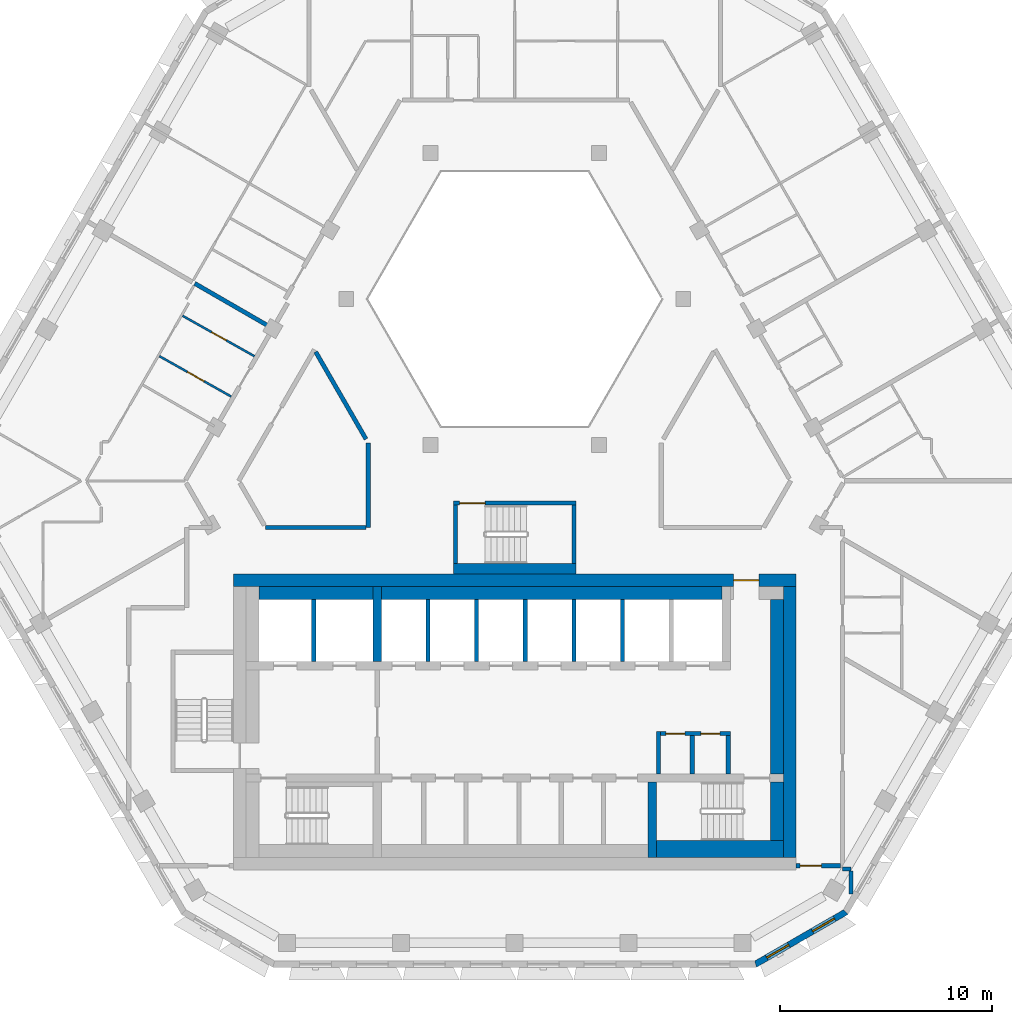
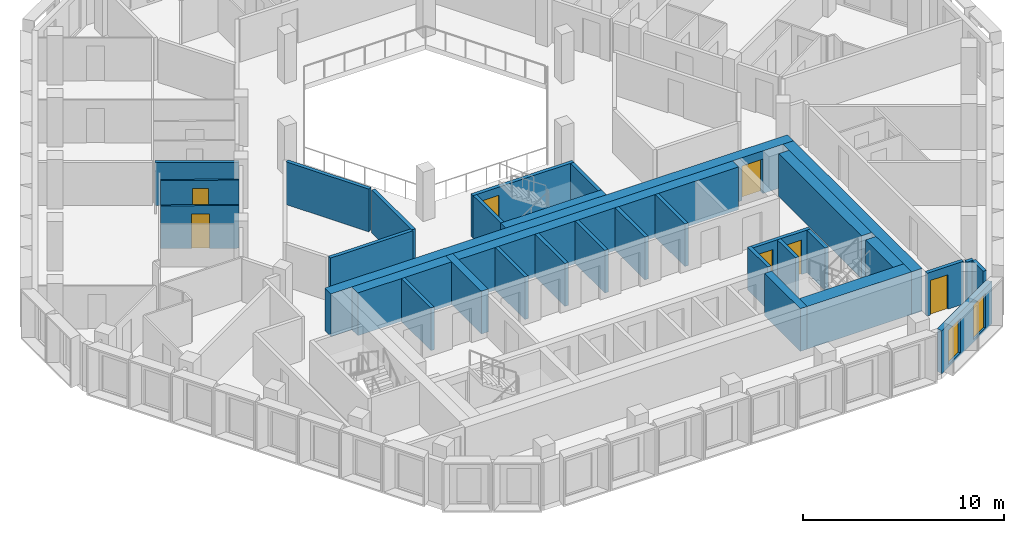
# One storey, part 5 of 18: 33 walls, 7 doors, 2 windows, 9 openings.
"""IFC4 building model written with IfcOpenShell, lengths in metres."""

from ifc_helpers import new_model, si_unit, direction, frame, frame_2d, origin, place, context, subcontext, project, spatial, polyline, rectangle, outline, extrude, material, layer, layer_set, type_object, element, fill, save


model = new_model("IFC4")

# Units and contexts
model_context = context("Model", 3, precision=1e-05, world=origin(), true_north=direction((0.0, 1.0)))
body_context = subcontext(model_context, "Body", "Model", "MODEL_VIEW")
ifc_project = project(units=[si_unit("LENGTHUNIT", "METRE"), si_unit("AREAUNIT", "SQUARE_METRE"), si_unit("VOLUMEUNIT", "CUBIC_METRE"), si_unit("PLANEANGLEUNIT", "RADIAN"), si_unit("MASSUNIT", "GRAM", prefix="KILO")], contexts=[model_context])

# Site, building, storey
site_placement = place(None, origin())
site = spatial("IfcSite", under=ifc_project, at=site_placement, CompositionType="ELEMENT")
building_placement = place(site_placement, origin())
building = spatial("IfcBuilding", under=site, at=building_placement, Name="Beryl Residences", CompositionType="ELEMENT")
storey_placement = place(building_placement, frame((0.0, 0.0, 196.199951171875)))
storey = spatial("IfcBuildingStorey", under=building, at=storey_placement, Name="L60", CompositionType="ELEMENT", Elevation=196.199951171875)

# Wall, openings, windows
ifc_material_1 = material(Name="Composite metal panel with mineral wool insulation")
ifc_layer_1 = layer(ifc_material_1, 0.300048828125)
ifc_layer_set_1 = layer_set([ifc_layer_1], Name="ES1 pale metal composite panel wall 300 mm")
wall_type_1 = type_object("IfcWallType", Name="ES1 pale metal composite panel wall 300 mm", PredefinedType="SOLIDWALL", material=ifc_layer_set_1)
wall_1_placement = place(storey_placement, frame((11.35595703125, -23.469970703125, 0.0), z_axis=(0.0, 0.0, 1.0), x_axis=(0.866022959057, 0.500004234368, 0.0)))
wall_1 = element("IfcWall", 1, at=wall_1_placement, inside=storey, type_object=wall_type_1, Name="ES1 external wall L60 S-SE", PredefinedType="SOLIDWALL", context=body_context, shape_type="SweptSolid", body=[
    extrude(outline(polyline([(0.0, -0.14990234375), (5.0, -0.14990234375), (4.919677734375, 0.14990234375), (0.080322265625, 0.14990234375), (0.0, -0.14990234375)])), origin(), (0.0, 0.0, 1.0), 2.60009765625),
])
opening_1_placement = place(wall_1_placement, frame((0.64990234375, 0.0, 0.14990234375)))
opening_1 = element("IfcOpeningElement", 2, at=opening_1_placement, cuts=wall_1, Name="Opening W2", PredefinedType="OPENING", context=body_context, shape_type="SweptSolid", body=[
    extrude(rectangle(XDim=1.199951171875, YDim=2.10009765625, at=frame_2d((0.60009765625, 1.050048828125))), frame((0.0, 0.159912109375, 0.0), z_axis=(0.0, -1.0, 0.0), x_axis=(1.0, 0.0, 0.0)), (0.0, 0.0, 1.0), 0.320068359375),
])
opening_2_placement = place(wall_1_placement, frame((3.14892578125, 0.0, 0.14990234375)))
opening_2 = element("IfcOpeningElement", 3, at=opening_2_placement, cuts=wall_1, Name="Opening W2", PredefinedType="OPENING", context=body_context, shape_type="SweptSolid", body=[
    extrude(rectangle(XDim=1.199951171875, YDim=2.10009765625, at=frame_2d((0.60009765625, 1.050048828125))), frame((0.0, 0.159912109375, 0.0), z_axis=(0.0, -1.0, 0.0), x_axis=(1.0, 0.0, 0.0)), (0.0, 0.0, 1.0), 0.320068359375),
])
ifc_material_2 = material(Name="Aluminium and clear glass", Category="aluminium")
window_type = type_object("IfcWindowType", Name="W2 chamfer window 1200 x 2100 mm", PartitioningType="SINGLE_PANEL", PredefinedType="WINDOW", material=ifc_material_2)
window_1_placement = place(opening_1_placement, origin())
window_1 = element("IfcWindow", 4, at=window_1_placement, inside=storey, type_object=window_type, Name="W2 window L60 S-SE 1", OverallHeight=2.10009765625, OverallWidth=1.199951171875, PartitioningType="SINGLE_PANEL", PredefinedType="WINDOW", context=body_context, shape_type="SweptSolid", body=[
    extrude(rectangle(XDim=1.199951171875, YDim=2.10009765625, at=frame_2d((0.60009765625, 1.050048828125))), frame((0.0, 0.030029296875, 0.0), z_axis=(0.0, -1.0, 0.0), x_axis=(1.0, 0.0, 0.0)), (0.0, 0.0, 1.0), 0.06005859375),
])
fill(opening_1, window_1)
window_2_placement = place(opening_2_placement, origin())
window_2 = element("IfcWindow", 5, at=window_2_placement, inside=storey, type_object=window_type, Name="W2 window L60 S-SE 2", OverallHeight=2.10009765625, OverallWidth=1.199951171875, PartitioningType="SINGLE_PANEL", PredefinedType="WINDOW", context=body_context, shape_type="SweptSolid", body=[
    extrude(rectangle(XDim=1.199951171875, YDim=2.10009765625, at=frame_2d((0.60009765625, 1.050048828125))), frame((0.0, 0.030029296875, 0.0), z_axis=(0.0, -1.0, 0.0), x_axis=(1.0, 0.0, 0.0)), (0.0, 0.0, 1.0), 0.06005859375),
])
fill(opening_2, window_2)

# Wall, opening, door
ifc_material_3 = material(Name="Gypsum board partition on steel studs", Category="steel")
ifc_layer_2 = layer(ifc_material_3, 0.10009765625)
ifc_layer_set_2 = layer_set([ifc_layer_2], Name="PT1 partition 100 mm gypsum board on steel studs")
wall_type_2 = type_object("IfcWallType", Name="PT1 partition 100 mm gypsum board on steel studs", PredefinedType="PARTITIONING", material=ifc_layer_set_2)
wall_2_placement = place(storey_placement, frame((-16.799072265625, 5.2958984375, 0.0), z_axis=(0.0, 0.0, 1.0), x_axis=(0.871565499758, -0.490279083413, 0.0)))
wall_2 = element("IfcWall", 6, at=wall_2_placement, inside=storey, type_object=wall_type_2, Name="Wall PT1 L60 011", PredefinedType="PARTITIONING", context=body_context, shape_type="SweptSolid", body=[
    extrude(rectangle(XDim=3.8974609375, YDim=0.10009765625, at=frame_2d((1.94873046875, 0.0))), origin(), (0.0, 0.0, 1.0), 2.60009765625),
])
opening_3_placement = place(wall_2_placement, frame((1.52392578125, 0.0, 0.0)))
opening_3 = element("IfcOpeningElement", 7, at=opening_3_placement, cuts=wall_2, Name="Opening D1525", PredefinedType="OPENING", context=body_context, shape_type="SweptSolid", body=[
    extrude(rectangle(XDim=0.89990234375, YDim=2.10009765625, at=frame_2d((0.449951171875, 1.050048828125))), frame((0.0, 0.06005859375, 0.0), z_axis=(0.0, -1.0, 0.0), x_axis=(1.0, 0.0, 0.0)), (0.0, 0.0, 1.0), 0.1201171875),
])
ifc_material_4 = material(Name="Timber door leaf", Category="wood")
door_type_1 = type_object("IfcDoorType", Name="D2 room door 900 x 2100 mm", OperationType="SINGLE_SWING_LEFT", PredefinedType="DOOR", material=ifc_material_4)
door_1_placement = place(opening_3_placement, origin())
door_1 = element("IfcDoor", 8, at=door_1_placement, inside=storey, type_object=door_type_1, Name="Door D1525 L60 001", OperationType="SINGLE_SWING_LEFT", OverallHeight=2.10009765625, OverallWidth=0.89990234375, PredefinedType="DOOR", context=body_context, shape_type="SweptSolid", body=[
    extrude(rectangle(XDim=0.89990234375, YDim=2.10009765625, at=frame_2d((0.449951171875, 1.050048828125))), frame((0.0, 0.02490234375, 0.0), z_axis=(0.0, -1.0, 0.0), x_axis=(1.0, 0.0, 0.0)), (0.0, 0.0, 1.0), 0.050048828125),
])
fill(opening_3, door_1)

wall_3_placement = place(storey_placement, frame((-15.698974609375, 7.201904296875, 0.0), z_axis=(0.0, 0.0, 1.0), x_axis=(0.871565499758, -0.490279083413, 0.0)))
wall_3 = element("IfcWall", 9, at=wall_3_placement, inside=storey, type_object=wall_type_2, Name="Wall PT1 L60 012", PredefinedType="PARTITIONING", context=body_context, shape_type="SweptSolid", body=[
    extrude(rectangle(XDim=3.8974609375, YDim=0.10009765625, at=frame_2d((1.94873046875, 0.0))), origin(), (0.0, 0.0, 1.0), 2.60009765625),
])
opening_4_placement = place(wall_3_placement, frame((1.573974609375, 0.0, 0.0)))
opening_4 = element("IfcOpeningElement", 10, at=opening_4_placement, cuts=wall_3, Name="Opening D1526", PredefinedType="OPENING", context=body_context, shape_type="SweptSolid", body=[
    extrude(rectangle(XDim=0.800048828125, YDim=2.10009765625, at=frame_2d((0.39990234375, 1.050048828125))), frame((0.0, 0.06005859375, 0.0), z_axis=(0.0, -1.0, 0.0), x_axis=(1.0, 0.0, 0.0)), (0.0, 0.0, 1.0), 0.1201171875),
])
ifc_material_5 = material(Name="Timber door leaf", Category="wood")
door_type_2 = type_object("IfcDoorType", Name="D3 bathroom door 800 x 2100 mm", OperationType="SINGLE_SWING_LEFT", PredefinedType="DOOR", material=ifc_material_5)
door_2_placement = place(opening_4_placement, origin())
door_2 = element("IfcDoor", 11, at=door_2_placement, inside=storey, type_object=door_type_2, Name="Door D1526 L60 001", OperationType="SINGLE_SWING_RIGHT", OverallHeight=2.10009765625, OverallWidth=0.800048828125, PredefinedType="DOOR", context=body_context, shape_type="SweptSolid", body=[
    extrude(rectangle(XDim=0.800048828125, YDim=2.10009765625, at=frame_2d((0.39990234375, 1.050048828125))), frame((0.0, 0.02490234375, 0.0), z_axis=(0.0, -1.0, 0.0), x_axis=(1.0, 0.0, 0.0)), (0.0, 0.0, 1.0), 0.050048828125),
])
fill(opening_4, door_2)

# Wall
ifc_material_6 = material(Name="Concrete masonry", Category="masonry")
ifc_layer_3 = layer(ifc_material_6, 0.199951171875)
ifc_layer_set_3 = layer_set([ifc_layer_3], Name="PT13 lobby wall 200 mm")
wall_type_3 = type_object("IfcWallType", Name="PT13 lobby wall 200 mm", PredefinedType="PARTITIONING", material=ifc_layer_set_3)
wall_4_placement = place(storey_placement, frame((6.800048828125, -14.449951171875, 0.0), z_axis=(0.0, 0.0, 1.0), x_axis=(0.0, 1.0, 0.0)))
element("IfcWall", 12, at=wall_4_placement, inside=storey, type_object=wall_type_3, Name="Lobby wall 26", PredefinedType="PARTITIONING", context=body_context, shape_type="SweptSolid", body=[
    extrude(rectangle(XDim=2.0, YDim=0.199951171875, at=frame_2d((1.0, 0.0))), origin(), (0.0, 0.0, 1.0), 2.60009765625),
])

# Wall, openings, doors
wall_5_placement = place(storey_placement, frame((6.89990234375, -12.550048828125, 0.0), z_axis=(0.0, 0.0, 1.0), x_axis=(1.0, 0.0, 0.0)))
wall_5 = element("IfcWall", 13, at=wall_5_placement, inside=storey, type_object=wall_type_3, Name="Lobby wall 27", PredefinedType="PARTITIONING", context=body_context, shape_type="SweptSolid", body=[
    extrude(rectangle(XDim=3.300048828125, YDim=0.199951171875, at=frame_2d((1.64990234375, 0.0))), origin(), (0.0, 0.0, 1.0), 2.60009765625),
])
opening_5_placement = place(wall_5_placement, frame((1.14990234375, 0.0, 0.0), z_axis=(0.0, 0.0, 1.0), x_axis=(-1.0, 0.0, 0.0)))
opening_5 = element("IfcOpeningElement", 14, at=opening_5_placement, cuts=wall_5, Name="Opening CD-D-A1-900", PredefinedType="OPENING", context=body_context, shape_type="SweptSolid", body=[
    extrude(rectangle(XDim=0.89990234375, YDim=2.10009765625, at=frame_2d((0.449951171875, 1.050048828125))), frame((0.0, 0.10986328125, 0.0), z_axis=(0.0, -1.0, 0.0), x_axis=(1.0, 0.0, 0.0)), (0.0, 0.0, 1.0), 0.219970703125),
])
opening_6_placement = place(wall_5_placement, frame((2.7998046875, 0.0, 0.0), z_axis=(0.0, 0.0, 1.0), x_axis=(-1.0, 0.0, 0.0)))
opening_6 = element("IfcOpeningElement", 15, at=opening_6_placement, cuts=wall_5, Name="Opening CD-D-A2-900", PredefinedType="OPENING", context=body_context, shape_type="SweptSolid", body=[
    extrude(rectangle(XDim=0.89990234375, YDim=2.10009765625, at=frame_2d((0.449951171875, 1.050048828125))), frame((0.0, 0.10986328125, 0.0), z_axis=(0.0, -1.0, 0.0), x_axis=(1.0, 0.0, 0.0)), (0.0, 0.0, 1.0), 0.219970703125),
])
ifc_material_7 = material(Name="Steel door leaf in steel frame", Category="steel")
door_type_3 = type_object("IfcDoorType", Name="D6 service room door 900 x 2100 mm", OperationType="SINGLE_SWING_LEFT", PredefinedType="DOOR", material=ifc_material_7)
door_3_placement = place(opening_5_placement, origin())
door_3 = element("IfcDoor", 16, at=door_3_placement, inside=storey, type_object=door_type_3, Name="Door CD-D-A1-900 L60 001", OperationType="SINGLE_SWING_RIGHT", OverallHeight=2.10009765625, OverallWidth=0.89990234375, PredefinedType="DOOR", context=body_context, shape_type="SweptSolid", body=[
    extrude(rectangle(XDim=0.89990234375, YDim=2.10009765625, at=frame_2d((0.449951171875, 1.050048828125))), frame((0.0, 0.02490234375, 0.0), z_axis=(0.0, -1.0, 0.0), x_axis=(1.0, 0.0, 0.0)), (0.0, 0.0, 1.0), 0.050048828125),
])
fill(opening_5, door_3)
door_4_placement = place(opening_6_placement, origin())
door_4 = element("IfcDoor", 17, at=door_4_placement, inside=storey, type_object=door_type_3, Name="Door CD-D-A2-900 L60 001", OperationType="SINGLE_SWING_LEFT", OverallHeight=2.10009765625, OverallWidth=0.89990234375, PredefinedType="DOOR", context=body_context, shape_type="SweptSolid", body=[
    extrude(rectangle(XDim=0.89990234375, YDim=2.10009765625, at=frame_2d((0.449951171875, 1.050048828125))), frame((0.0, 0.02490234375, 0.0), z_axis=(0.0, -1.0, 0.0), x_axis=(1.0, 0.0, 0.0)), (0.0, 0.0, 1.0), 0.050048828125),
])
fill(opening_6, door_4)

# Walls
wall_6_placement = place(storey_placement, frame((10.10009765625, -14.449951171875, 0.0), z_axis=(0.0, 0.0, 1.0), x_axis=(0.0, 1.0, 0.0)))
element("IfcWall", 18, at=wall_6_placement, inside=storey, type_object=wall_type_3, Name="Lobby wall 30", PredefinedType="PARTITIONING", context=body_context, shape_type="SweptSolid", body=[
    extrude(rectangle(XDim=1.800048828125, YDim=0.199951171875, at=frame_2d((0.89990234375, 0.0))), origin(), (0.0, 0.0, 1.0), 2.60009765625),
])
ifc_material_8 = material(Name="Concrete masonry", Category="masonry")
ifc_layer_4 = layer(ifc_material_8, 0.60009765625)
ifc_layer_set_4 = layer_set([ifc_layer_4], Name="PT13-600 lobby wall 600 mm")
wall_type_4 = type_object("IfcWallType", Name="PT13-600 lobby wall 600 mm", PredefinedType="PARTITIONING", material=ifc_layer_set_4)
wall_7_placement = place(storey_placement, frame((12.39990234375, -14.449951171875, 0.0), z_axis=(0.0, 0.0, 1.0), x_axis=(0.0, 1.0, 0.0)))
element("IfcWall", 19, at=wall_7_placement, inside=storey, type_object=wall_type_4, Name="Lobby wall 34", PredefinedType="PARTITIONING", context=body_context, shape_type="SweptSolid", body=[
    extrude(rectangle(XDim=8.25, YDim=0.60009765625, at=frame_2d((4.125, 0.0))), origin(), (0.0, 0.0, 1.0), 2.60009765625),
])
ifc_material_9 = material(Name="Acoustic double stud gypsum board wall")
ifc_layer_5 = layer(ifc_material_9, 0.199951171875)
ifc_layer_set_5 = layer_set([ifc_layer_5], Name="PT3 party wall 200 mm acoustic double stud")
wall_type_5 = type_object("IfcWallType", Name="PT3 party wall 200 mm acoustic double stud", PredefinedType="PARTITIONING", material=ifc_layer_set_5)
wall_8_placement = place(storey_placement, frame((15.89990234375, -19.051025390625, 0.0), z_axis=(0.0, 0.0, 1.0), x_axis=(0.0, -1.0, 0.0)))
element("IfcWall", 20, at=wall_8_placement, inside=storey, type_object=wall_type_5, Name="Wall PT3 L60 002", PredefinedType="PARTITIONING", context=body_context, shape_type="SweptSolid", body=[
    extrude(rectangle(XDim=1.0869140625, YDim=0.199951171875, at=frame_2d((0.54345703125, 0.0))), origin(), (0.0, 0.0, 1.0), 2.60009765625),
])
wall_9_placement = place(storey_placement, frame((-15.126953125, 8.73388671875, 0.0), z_axis=(0.0, 0.0, 1.0), x_axis=(0.865984601828, -0.500070664403, 0.0)))
element("IfcWall", 21, at=wall_9_placement, inside=storey, type_object=wall_type_5, Name="Wall PT3 L60 004", PredefinedType="PARTITIONING", context=body_context, shape_type="SweptSolid", body=[
    extrude(rectangle(XDim=4.16748046875, YDim=0.199951171875, at=frame_2d((2.083740234375, 0.0))), origin(), (0.0, 0.0, 1.0), 2.60009765625),
])
wall_10_placement = place(storey_placement, frame((15.4990234375, -18.949951171875, 0.0), z_axis=(0.0, 0.0, 1.0), x_axis=(1.0, 0.0, 0.0)))
element("IfcWall", 22, at=wall_10_placement, inside=storey, type_object=wall_type_5, Name="Wall PT3 L60 014", PredefinedType="PARTITIONING", context=body_context, shape_type="SweptSolid", body=[
    extrude(rectangle(XDim=0.39990234375, YDim=0.199951171875, at=frame_2d((0.199951171875, 0.0))), origin(), (0.0, 0.0, 1.0), 2.60009765625),
])
ifc_material_10 = material(Name="Double stud gypsum board wall")
ifc_layer_6 = layer(ifc_material_10, 0.199951171875)
ifc_layer_set_6 = layer_set([ifc_layer_6], Name="PT4 corridor wall 200 mm double stud")
wall_type_6 = type_object("IfcWallType", Name="PT4 corridor wall 200 mm double stud", PredefinedType="PARTITIONING", material=ifc_layer_set_6)
wall_11_placement = place(storey_placement, frame((-9.410888671875, 5.5, 0.0), z_axis=(0.0, 0.0, 1.0), x_axis=(0.500018099276, -0.86601495391, 0.0)))
element("IfcWall", 23, at=wall_11_placement, inside=storey, type_object=wall_type_6, Name="Wall PT4 L60 001", PredefinedType="PARTITIONING", context=body_context, shape_type="SweptSolid", body=[
    extrude(rectangle(XDim=4.765380859375, YDim=0.199951171875, at=frame_2d((2.3828125, 0.0))), origin(), (0.0, 0.0, 1.0), 2.60009765625),
])

# Wall, opening, door
wall_12_placement = place(storey_placement, frame((13.300048828125, -18.800048828125, 0.0), z_axis=(0.0, 0.0, 1.0), x_axis=(1.0, 0.0, 0.0)))
wall_12 = element("IfcWall", 24, at=wall_12_placement, inside=storey, type_object=wall_type_6, Name="Wall PT4 L60 009", PredefinedType="PARTITIONING", context=body_context, shape_type="SweptSolid", body=[
    extrude(rectangle(XDim=2.098876953125, YDim=0.199951171875, at=frame_2d((1.04931640625, 0.0))), origin(), (0.0, 0.0, 1.0), 2.60009765625),
])
opening_7_placement = place(wall_12_placement, frame((0.199951171875, 0.0, 0.0)))
opening_7 = element("IfcOpeningElement", 25, at=opening_7_placement, cuts=wall_12, Name="Opening D1548", PredefinedType="OPENING", context=body_context, shape_type="SweptSolid", body=[
    extrude(rectangle(XDim=1.0, YDim=2.10009765625, at=frame_2d((0.5, 1.050048828125))), frame((0.0, 0.10986328125, 0.0), z_axis=(0.0, -1.0, 0.0), x_axis=(1.0, 0.0, 0.0)), (0.0, 0.0, 1.0), 0.219970703125),
])
ifc_material_11 = material(Name="Timber door leaf", Category="wood")
door_type_4 = type_object("IfcDoorType", Name="D1 flat entrance door 1000 x 2100 mm", OperationType="SINGLE_SWING_LEFT", PredefinedType="DOOR", material=ifc_material_11)
door_5_placement = place(opening_7_placement, origin())
door_5 = element("IfcDoor", 26, at=door_5_placement, inside=storey, type_object=door_type_4, Name="Door D1548 L60 001", OperationType="SINGLE_SWING_LEFT", OverallHeight=2.10009765625, OverallWidth=1.0, PredefinedType="DOOR", context=body_context, shape_type="SweptSolid", body=[
    extrude(rectangle(XDim=1.0, YDim=2.10009765625, at=frame_2d((0.5, 1.050048828125))), frame((0.0, 0.02490234375, 0.0), z_axis=(0.0, -1.0, 0.0), x_axis=(1.0, 0.0, 0.0)), (0.0, 0.0, 1.0), 0.050048828125),
])
fill(opening_7, door_5)

# Walls
wall_13_placement = place(storey_placement, frame((-11.778076171875, -2.800048828125, 0.0), z_axis=(0.0, 0.0, 1.0), x_axis=(1.0, 0.0, 0.0)))
element("IfcWall", 27, at=wall_13_placement, inside=storey, type_object=wall_type_6, Name="Wall PT4 L60 011", PredefinedType="PARTITIONING", context=body_context, shape_type="SweptSolid", body=[
    extrude(rectangle(XDim=4.75, YDim=0.199951171875, at=frame_2d((2.375, 0.0))), origin(), (0.0, 0.0, 1.0), 2.60009765625),
])
wall_14_placement = place(storey_placement, frame((-6.927978515625, -2.800048828125, 0.0), z_axis=(0.0, 0.0, 1.0), x_axis=(0.0, 1.0, 0.0)))
element("IfcWall", 28, at=wall_14_placement, inside=storey, type_object=wall_type_6, Name="Wall PT4 L60 023", PredefinedType="PARTITIONING", context=body_context, shape_type="SweptSolid", body=[
    extrude(rectangle(XDim=4.0, YDim=0.199951171875, at=frame_2d((2.0, 0.0))), origin(), (0.0, 0.0, 1.0), 2.60009765625),
])

# Wall, opening, door
ifc_material_12 = material(Name="Concrete C40/50", Category="concrete")
ifc_layer_7 = layer(ifc_material_12, 0.199951171875)
ifc_layer_set_7 = layer_set([ifc_layer_7], Name="PT5 stair enclosure wall 200 mm reinforced concrete C40/50")
wall_type_7 = type_object("IfcWallType", Name="PT5 stair enclosure wall 200 mm reinforced concrete C40/50", PredefinedType="SOLIDWALL", material=ifc_layer_set_7)
wall_15_placement = place(storey_placement, frame((-2.89990234375, -1.64990234375, 0.0), z_axis=(0.0, 0.0, 1.0), x_axis=(1.0, 0.0, 0.0)))
wall_15 = element("IfcWall", 29, at=wall_15_placement, inside=storey, type_object=wall_type_7, Name="Wall PT5 L60 001", PredefinedType="SOLIDWALL", context=body_context, shape_type="SweptSolid", body=[
    extrude(rectangle(XDim=5.7998046875, YDim=0.199951171875, at=frame_2d((2.89990234375, 0.0))), origin(), (0.0, 0.0, 1.0), 2.60009765625),
])
opening_8_placement = place(wall_15_placement, frame((0.300048828125, 0.0, 0.0)))
opening_8 = element("IfcOpeningElement", 30, at=opening_8_placement, cuts=wall_15, Name="Opening DS04", PredefinedType="OPENING", context=body_context, shape_type="SweptSolid", body=[
    extrude(rectangle(XDim=1.199951171875, YDim=2.10009765625, at=frame_2d((0.60009765625, 1.050048828125))), frame((0.0, 0.10986328125, 0.0), z_axis=(0.0, -1.0, 0.0), x_axis=(1.0, 0.0, 0.0)), (0.0, 0.0, 1.0), 0.219970703125),
])
ifc_material_13 = material(Name="Steel door leaf in steel frame", Category="steel")
door_type_5 = type_object("IfcDoorType", Name="D4 stair door 1200 x 2100 mm", OperationType="SINGLE_SWING_LEFT", PredefinedType="DOOR", material=ifc_material_13)
door_6_placement = place(opening_8_placement, origin())
door_6 = element("IfcDoor", 31, at=door_6_placement, inside=storey, type_object=door_type_5, Name="Door DS04 L60 001", OperationType="SINGLE_SWING_LEFT", OverallHeight=2.10009765625, OverallWidth=1.199951171875, PredefinedType="DOOR", context=body_context, shape_type="SweptSolid", body=[
    extrude(rectangle(XDim=1.199951171875, YDim=2.10009765625, at=frame_2d((0.60009765625, 1.050048828125))), frame((0.0, 0.02490234375, 0.0), z_axis=(0.0, -1.0, 0.0), x_axis=(1.0, 0.0, 0.0)), (0.0, 0.0, 1.0), 0.050048828125),
])
fill(opening_8, door_6)

# Walls
for number, where, z_axis, x_axis, name in (
    (32, (-2.800048828125, -4.5, 0.0), (0.0, 0.0, 1.0), (0.0, 1.0, 0.0), "Wall PT5 L60 002"),
    (33, (2.800048828125, -4.5, 0.0), (0.0, 0.0, 1.0), (0.0, 1.0, 0.0), "Wall PT5 L60 003"),
):
    element("IfcWall", number, at=place(storey_placement, frame(where, z_axis=z_axis, x_axis=x_axis)), inside=storey, type_object=wall_type_7, Name=name, PredefinedType="SOLIDWALL", context=body_context, shape_type="SweptSolid", body=[
        extrude(rectangle(XDim=2.75, YDim=0.199951171875, at=frame_2d((1.375, 0.0))), origin(), (0.0, 0.0, 1.0), 2.60009765625),
    ])
ifc_material_14 = material(Name="Concrete C40/50", Category="concrete")
ifc_layer_8 = layer(ifc_material_14, 0.5)
ifc_layer_set_8 = layer_set([ifc_layer_8], Name="PT5-500 stair enclosure wall 500 mm")
wall_type_8 = type_object("IfcWallType", Name="PT5-500 stair enclosure wall 500 mm", PredefinedType="SOLIDWALL", material=ifc_layer_set_8)
wall_16_placement = place(storey_placement, frame((-2.89990234375, -4.75, 0.0), z_axis=(0.0, 0.0, 1.0), x_axis=(1.0, 0.0, 0.0)))
element("IfcWall", 34, at=wall_16_placement, inside=storey, type_object=wall_type_8, Name="Wall PT5-500 L60 001", PredefinedType="SOLIDWALL", context=body_context, shape_type="SweptSolid", body=[
    extrude(rectangle(XDim=5.7998046875, YDim=0.5, at=frame_2d((2.89990234375, 0.0))), origin(), (0.0, 0.0, 1.0), 2.60009765625),
])
ifc_material_15 = material(Name="Concrete C40/50", Category="concrete")
ifc_layer_9 = layer(ifc_material_15, 0.60009765625)
ifc_layer_set_9 = layer_set([ifc_layer_9], Name="PT5-600 stair enclosure wall 600 mm")
wall_type_9 = type_object("IfcWallType", Name="PT5-600 stair enclosure wall 600 mm", PredefinedType="SOLIDWALL", material=ifc_layer_set_9)
wall_17_placement = place(storey_placement, frame((12.39990234375, -17.60009765625, 0.0), z_axis=(0.0, 0.0, 1.0), x_axis=(0.0, 1.0, 0.0)))
element("IfcWall", 35, at=wall_17_placement, inside=storey, type_object=wall_type_9, Name="Stair wall 33", PredefinedType="SOLIDWALL", context=body_context, shape_type="SweptSolid", body=[
    extrude(rectangle(XDim=2.75, YDim=0.60009765625, at=frame_2d((1.375, 0.0))), origin(), (0.0, 0.0, 1.0), 2.60009765625),
])
ifc_material_16 = material(Name="Concrete C40/50", Category="concrete")
ifc_layer_10 = layer(ifc_material_16, 0.800048828125)
ifc_layer_set_10 = layer_set([ifc_layer_10], Name="PT5-800 stair enclosure wall 800 mm")
wall_type_10 = type_object("IfcWallType", Name="PT5-800 stair enclosure wall 800 mm", PredefinedType="SOLIDWALL", material=ifc_layer_set_10)
wall_18_placement = place(storey_placement, frame((6.699951171875, -18.0, 0.0), z_axis=(0.0, 0.0, 1.0), x_axis=(1.0, 0.0, 0.0)))
element("IfcWall", 36, at=wall_18_placement, inside=storey, type_object=wall_type_10, Name="Stair wall 25", PredefinedType="SOLIDWALL", context=body_context, shape_type="SweptSolid", body=[
    extrude(rectangle(XDim=6.0, YDim=0.800048828125, at=frame_2d((3.0, 0.0))), origin(), (0.0, 0.0, 1.0), 2.60009765625),
])
ifc_material_17 = material(Name="Concrete C40/50", Category="concrete")
ifc_layer_11 = layer(ifc_material_17, 0.199951171875)
ifc_layer_set_11 = layer_set([ifc_layer_11], Name="PT6 lift shaft wall 200 mm reinforced concrete C40/50")
wall_type_11 = type_object("IfcWallType", Name="PT6 lift shaft wall 200 mm reinforced concrete C40/50", PredefinedType="SOLIDWALL", material=ifc_layer_set_11)
for number, where, z_axis, x_axis, name in (
    (37, (-9.5, -9.14990234375, 0.0), (0.0, 0.0, 1.0), (0.0, 1.0, 0.0), "Lift shaft wall 11"),
    (38, (-4.10009765625, -9.14990234375, 0.0), (0.0, 0.0, 1.0), (0.0, 1.0, 0.0), "Lift shaft wall 16"),
    (39, (-1.800048828125, -9.14990234375, 0.0), (0.0, 0.0, 1.0), (0.0, 1.0, 0.0), "Lift shaft wall 18"),
    (40, (0.5, -9.14990234375, 0.0), (0.0, 0.0, 1.0), (0.0, 1.0, 0.0), "Lift shaft wall 20"),
    (41, (2.800048828125, -9.14990234375, 0.0), (0.0, 0.0, 1.0), (0.0, 1.0, 0.0), "Lift shaft wall 22"),
    (42, (5.10009765625, -9.14990234375, 0.0), (0.0, 0.0, 1.0), (0.0, 1.0, 0.0), "Lift shaft wall 24"),
):
    element("IfcWall", number, at=place(storey_placement, frame(where, z_axis=z_axis, x_axis=x_axis)), inside=storey, type_object=wall_type_11, Name=name, PredefinedType="SOLIDWALL", context=body_context, shape_type="SweptSolid", body=[
        extrude(rectangle(XDim=2.949951171875, YDim=0.199951171875, at=frame_2d((1.47509765625, 0.0))), origin(), (0.0, 0.0, 1.0), 2.60009765625),
    ])
ifc_material_18 = material(Name="Concrete C40/50", Category="concrete")
ifc_layer_12 = layer(ifc_material_18, 0.60009765625)
ifc_layer_set_12 = layer_set([ifc_layer_12], Name="PT6-600 lift shaft wall 600 mm")
wall_type_12 = type_object("IfcWallType", Name="PT6-600 lift shaft wall 600 mm", PredefinedType="SOLIDWALL", material=ifc_layer_set_12)
wall_19_placement = place(storey_placement, frame((-12.10009765625, -5.89990234375, 0.0), z_axis=(0.0, 0.0, 1.0), x_axis=(1.0, 0.0, 0.0)))
element("IfcWall", 43, at=wall_19_placement, inside=storey, type_object=wall_type_12, Name="Lift shaft wall 09", PredefinedType="SOLIDWALL", context=body_context, shape_type="SweptSolid", body=[
    extrude(rectangle(XDim=5.400146484375, YDim=0.60009765625, at=frame_2d((2.7001953125, 0.0))), origin(), (0.0, 0.0, 1.0), 2.60009765625),
])
wall_20_placement = place(storey_placement, frame((-6.300048828125, -5.89990234375, 0.0), z_axis=(0.0, 0.0, 1.0), x_axis=(1.0, 0.0, 0.0)))
element("IfcWall", 44, at=wall_20_placement, inside=storey, type_object=wall_type_12, Name="Lift shaft wall 14", PredefinedType="SOLIDWALL", context=body_context, shape_type="SweptSolid", body=[
    extrude(rectangle(XDim=16.10009765625, YDim=0.60009765625, at=frame_2d((8.050048828125, 0.0))), origin(), (0.0, 0.0, 1.0), 2.60009765625),
])
ifc_material_19 = material(Name="Concrete masonry", Category="masonry")
ifc_layer_13 = layer(ifc_material_19, 0.199951171875)
ifc_layer_set_13 = layer_set([ifc_layer_13], Name="PT8-200 service room wall 200 mm")
wall_type_13 = type_object("IfcWallType", Name="PT8-200 service room wall 200 mm", PredefinedType="PARTITIONING", material=ifc_layer_set_13)
wall_21_placement = place(storey_placement, frame((8.39990234375, -14.449951171875, 0.0), z_axis=(0.0, 0.0, 1.0), x_axis=(0.0, 1.0, 0.0)))
element("IfcWall", 45, at=wall_21_placement, inside=storey, type_object=wall_type_13, Name="Core room wall 29", PredefinedType="PARTITIONING", context=body_context, shape_type="SweptSolid", body=[
    extrude(rectangle(XDim=1.800048828125, YDim=0.199951171875, at=frame_2d((0.89990234375, 0.0))), origin(), (0.0, 0.0, 1.0), 2.60009765625),
])

# Wall, opening, door
ifc_material_20 = material(Name="Concrete C50/60", Category="concrete")
ifc_layer_14 = layer(ifc_material_20, 0.60009765625)
ifc_layer_set_14 = layer_set([ifc_layer_14], Name="SW4 core outer wall 600 mm C50/60")
wall_type_14 = type_object("IfcWallType", Name="SW4 core outer wall 600 mm C50/60", PredefinedType="SHEAR", material=ifc_layer_set_14)
wall_22_placement = place(storey_placement, frame((-13.300048828125, -5.300048828125, 0.0), z_axis=(0.0, 0.0, 1.0), x_axis=(1.0, 0.0, 0.0)))
wall_22 = element("IfcWall", 46, at=wall_22_placement, inside=storey, type_object=wall_type_14, Name="Core wall N L60", PredefinedType="SHEAR", context=body_context, shape_type="SweptSolid", body=[
    extrude(rectangle(XDim=26.60009765625, YDim=0.60009765625, at=frame_2d((13.300048828125, 0.0))), origin(), (0.0, 0.0, 1.0), 2.60009765625),
])
opening_9_placement = place(wall_22_placement, frame((23.64990234375, 0.0, 0.0)))
opening_9 = element("IfcOpeningElement", 47, at=opening_9_placement, cuts=wall_22, Name="Opening FD-NORTH", PredefinedType="OPENING", context=body_context, shape_type="SweptSolid", body=[
    extrude(rectangle(XDim=1.199951171875, YDim=2.10009765625, at=frame_2d((0.60009765625, 1.050048828125))), frame((0.0, 0.31005859375, 0.0), z_axis=(0.0, -1.0, 0.0), x_axis=(1.0, 0.0, 0.0)), (0.0, 0.0, 1.0), 0.6201171875),
])
ifc_material_21 = material(Name="Steel door leaf in steel frame", Category="steel")
door_type_6 = type_object("IfcDoorType", Name="D22 lobby door 1200 x 2100 mm", OperationType="DOUBLE_DOOR_SINGLE_SWING", PredefinedType="DOOR", material=ifc_material_21)
door_7_placement = place(opening_9_placement, origin())
door_7 = element("IfcDoor", 48, at=door_7_placement, inside=storey, type_object=door_type_6, Name="Door FD-NORTH L60 001", OperationType="DOUBLE_DOOR_SINGLE_SWING", OverallHeight=2.10009765625, OverallWidth=1.199951171875, PredefinedType="DOOR", context=body_context, shape_type="SweptSolid", body=[
    extrude(rectangle(XDim=1.199951171875, YDim=2.10009765625, at=frame_2d((0.60009765625, 1.050048828125))), frame((0.0, 0.02490234375, 0.0), z_axis=(0.0, -1.0, 0.0), x_axis=(1.0, 0.0, 0.0)), (0.0, 0.0, 1.0), 0.050048828125),
])
fill(opening_9, door_7)

# Walls
wall_23_placement = place(storey_placement, frame((13.0, -18.39990234375, 0.0), z_axis=(0.0, 0.0, 1.0), x_axis=(0.0, 1.0, 0.0)))
element("IfcWall", 49, at=wall_23_placement, inside=storey, type_object=wall_type_14, Name="Core wall E L60", PredefinedType="SHEAR", context=body_context, shape_type="SweptSolid", body=[
    extrude(rectangle(XDim=12.7998046875, YDim=0.60009765625, at=frame_2d((6.39990234375, 0.0))), origin(), (0.0, 0.0, 1.0), 2.60009765625),
])
ifc_material_22 = material(Name="Concrete C50/60", Category="concrete")
ifc_layer_15 = layer(ifc_material_22, 0.39990234375)
ifc_layer_set_15 = layer_set([ifc_layer_15], Name="SW9 core internal wall 400 mm C50/60")
wall_type_15 = type_object("IfcWallType", Name="SW9 core internal wall 400 mm C50/60", PredefinedType="SHEAR", material=ifc_layer_set_15)
for number, where, z_axis, x_axis, name in (
    (50, (6.5, -18.39990234375, 0.0), (0.0, 0.0, 1.0), (0.0, 1.0, 0.0), "Core wall XS2 L60"),
    (51, (-6.5, -9.14990234375, 0.0), (0.0, 0.0, 1.0), (0.0, 1.0, 0.0), "Core wall XN1 L60"),
):
    element("IfcWall", number, at=place(storey_placement, frame(where, z_axis=z_axis, x_axis=x_axis)), inside=storey, type_object=wall_type_15, Name=name, PredefinedType="SHEAR", context=body_context, shape_type="SweptSolid", body=[
        extrude(rectangle(XDim=3.5498046875, YDim=0.39990234375, at=frame_2d((1.77490234375, 0.0))), origin(), (0.0, 0.0, 1.0), 2.60009765625),
    ])

save(model, "model.ifc")
